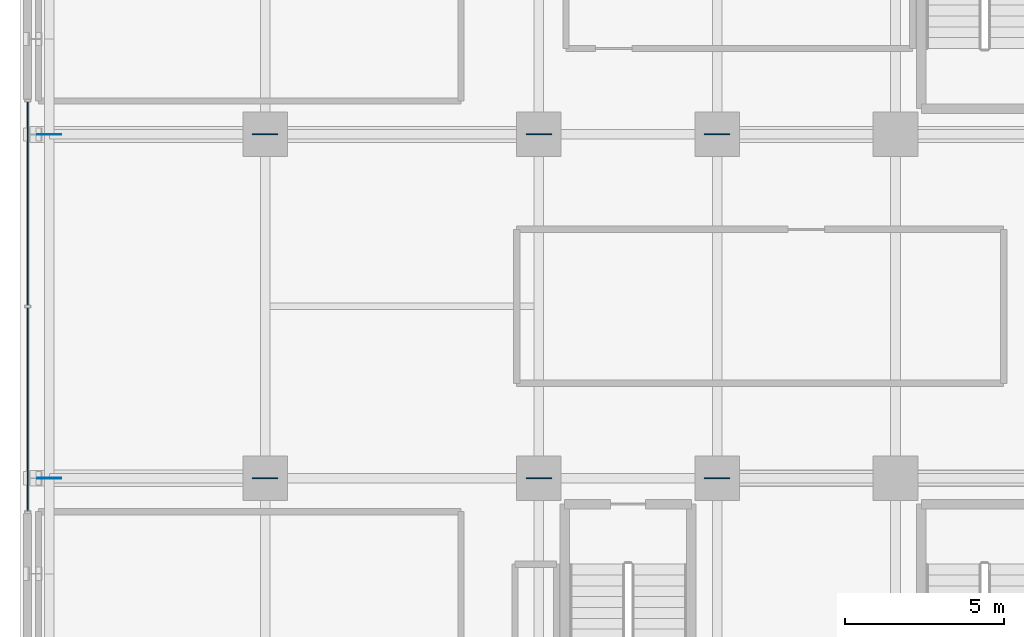
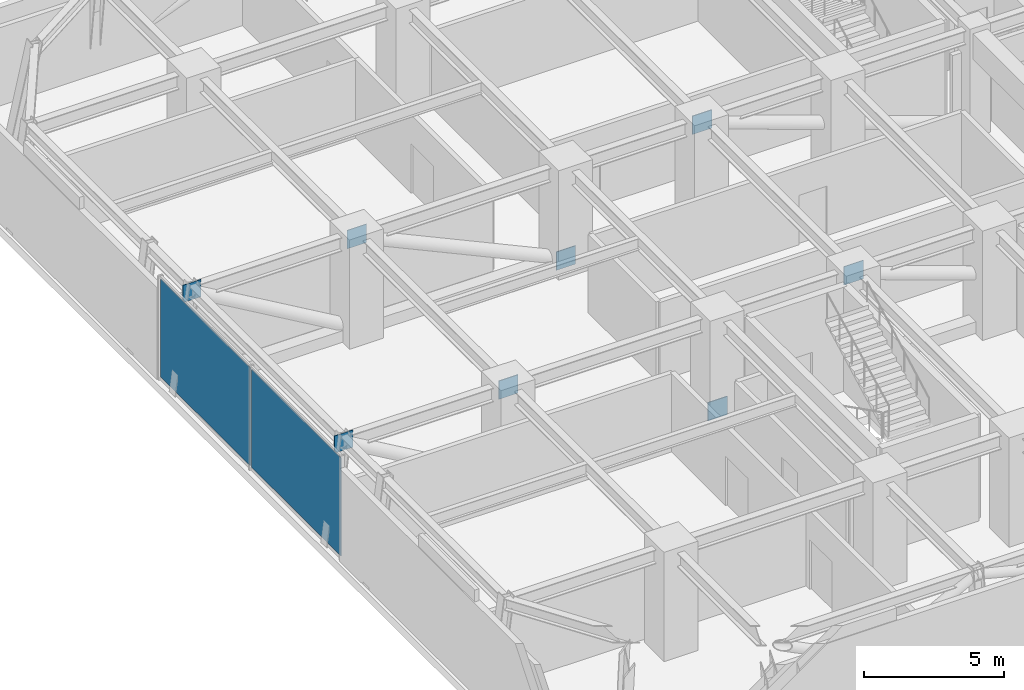
# One storey, part 7 of 17: 10 plates, 1 element without a shape of its own.
"""IFC4 building model written with IfcOpenShell, lengths in metres."""

from ifc_helpers import new_model, si_unit, direction, frame, origin, origin_2d, place, context, subcontext, project, spatial, rectangle, extrude, source, transform, mapped, material, layer, layer_set, type_object, element, aggregate, save


model = new_model("IFC4")

# Units and contexts
model_context = context("Model", 3, precision=1e-05, world=origin(), true_north=direction((0.0, 1.0)))
body_context = subcontext(model_context, "Body", "Model", "MODEL_VIEW")
ifc_project = project(units=[si_unit("LENGTHUNIT", "METRE"), si_unit("AREAUNIT", "SQUARE_METRE"), si_unit("VOLUMEUNIT", "CUBIC_METRE"), si_unit("PLANEANGLEUNIT", "RADIAN"), si_unit("MASSUNIT", "GRAM", prefix="KILO")], contexts=[model_context])

# Site, building, storey
site_placement = place(None, origin())
site = spatial("IfcSite", under=ifc_project, at=site_placement, CompositionType="ELEMENT")
building_placement = place(site_placement, origin())
building = spatial("IfcBuilding", under=site, at=building_placement, Name="Nahalor Promenade Grand Hotel", CompositionType="ELEMENT")
storey_placement = place(building_placement, frame((0.0, 0.0, 83.5)))
storey = spatial("IfcBuildingStorey", under=building, at=storey_placement, Name="L20", CompositionType="ELEMENT", Elevation=83.5)

# Plates
ifc_material_1 = material(Name="Steel S355J2", Category="steel")
ifc_layer_1 = layer(ifc_material_1, 0.031982421875)
ifc_layer_set_1 = layer_set([ifc_layer_1], Name="Steel S355J2")
plate_type_1 = type_object("IfcPlateType", Name="Plate-Gusset-32", PredefinedType="USERDEFINED", material=ifc_layer_set_1)
shared_shape_1 = source(origin(), body_context, "Body", "SweptSolid", [
    extrude(rectangle(XDim=0.800048828125, YDim=0.031982421875, at=origin_2d()), origin(), (0.0, 0.0, 1.0), 0.800048828125),
])
for number, where, z_axis, x_axis, name in (
    (1, (-2.800048828125, -5.39990234375, 3.85009765625), (0.0, 0.0, 1.0), (1.0, 0.0, 0.0), "PL-L20-OU-1-2"),
    (2, (-8.39990234375, -5.39990234375, -0.10009765625), (0.0, 0.0, 1.0), (1.0, 0.0, 0.0), "PL-L20-OU-1-3"),
    (3, (-17.0, -5.39990234375, 3.85009765625), (0.0, 0.0, 1.0), (1.0, 0.0, 0.0), "PL-L20-OU-1-4"),
    (4, (-2.800048828125, 5.39990234375, 3.85009765625), (0.0, 0.0, 1.0), (1.0, 0.0, 0.0), "PL-L20-OU-2-2"),
    (5, (-8.39990234375, 5.39990234375, -0.10009765625), (0.0, 0.0, 1.0), (1.0, 0.0, 0.0), "PL-L20-OU-2-3"),
    (6, (-17.0, 5.39990234375, 3.85009765625), (0.0, 0.0, 1.0), (1.0, 0.0, 0.0), "PL-L20-OU-2-4"),
):
    element("IfcPlate", number, at=place(storey_placement, frame(where, z_axis=z_axis, x_axis=x_axis)), inside=storey, type_object=plate_type_1, Name=name, ObjectType="GUSSET_PLATE", PredefinedType="USERDEFINED", context=body_context, shape_type="MappedRepresentation", body=[
        mapped(shared_shape_1, transform((0.0, 0.0, 0.0), scale=1.0)),
    ])
ifc_material_2 = material(Name="Steel S355JR", Category="steel")
ifc_layer_2 = layer(ifc_material_2, 0.028076171875)
ifc_layer_set_2 = layer_set([ifc_layer_2], Name="Steel S355JR")
plate_type_2 = type_object("IfcPlateType", Name="Plate-Gusset-28", PredefinedType="USERDEFINED", material=ifc_layer_set_2)
shared_shape_2 = source(origin(), body_context, "Body", "SweptSolid", [
    extrude(rectangle(XDim=0.75, YDim=0.028076171875, at=origin_2d()), origin(), (0.0, 0.0, 1.0), 0.75),
])
for number, where, z_axis, x_axis, name in (
    (7, (-23.780029296875, -5.39990234375, 3.875), (0.0, 0.0, 1.0), (1.0, 0.0, 0.0), "PL-L20-OU-1-5"),
    (8, (-23.780029296875, 5.39990234375, 3.875), (0.0, 0.0, 1.0), (1.0, 0.0, 0.0), "PL-L20-OU-2-5"),
):
    element("IfcPlate", number, at=place(storey_placement, frame(where, z_axis=z_axis, x_axis=x_axis)), inside=storey, type_object=plate_type_2, Name=name, ObjectType="GUSSET_PLATE", PredefinedType="USERDEFINED", context=body_context, shape_type="MappedRepresentation", body=[
        mapped(shared_shape_2, transform((0.0, 0.0, 0.0), scale=1.0)),
    ])

# Curtain wall, plates
ifc_material_3 = material(Name="Anodised Bronze Aluminium EN AW-6063 T6", Category="aluminium")
curtain_wall_type = type_object("IfcCurtainWallType", Name="CW6 Crown Botanical Conservatory Curtain Wall", PredefinedType="USERDEFINED", material=ifc_material_3)
curtain_wall_placement = place(storey_placement, origin())
curtain_wall = element("IfcCurtainWall", 9, at=curtain_wall_placement, inside=storey, type_object=curtain_wall_type, Name="L20 Curtain Wall CW-L20-W", ObjectType="UNITISED_CURTAIN_WALL", PredefinedType="USERDEFINED")
ifc_material_4 = material(Name="Low-E Laminated Solar Glass", Category="glass")
ifc_layer_3 = layer(ifc_material_4, 0.033935546875)
ifc_layer_set_3 = layer_set([ifc_layer_3], Name="Low-E Laminated Solar Glass")
plate_type_3 = type_object("IfcPlateType", Name="CWP6 Conservatory Solar-Select IGU 34mm", PredefinedType="CURTAIN_PANEL", material=ifc_layer_set_3)
shared_shape_3 = source(origin(), body_context, "Body", "SweptSolid", [
    extrude(rectangle(XDim=6.387451171875, YDim=0.033935546875, at=origin_2d()), origin(), (0.0, 0.0, 1.0), 4.260009765625),
])
plate_1_placement = place(storey_placement, frame((-24.4599609375, -3.231201171875, 0.134765625), z_axis=(0.0, 0.0, 1.0), x_axis=(0.0, 1.0, 0.0)))
plate_1 = element("IfcPlate", 10, at=plate_1_placement, type_object=plate_type_3, Name="CW-L20-W Glazing Panel 0-0", PredefinedType="CURTAIN_PANEL", context=body_context, shape_type="MappedRepresentation", body=[
    mapped(shared_shape_3, transform((0.0, 0.0, 0.0), scale=1.0)),
])
plate_2_placement = place(storey_placement, frame((-24.4599609375, 3.231201171875, 0.134765625), z_axis=(0.0, 0.0, 1.0), x_axis=(0.0, 1.0, 0.0)))
plate_2 = element("IfcPlate", 11, at=plate_2_placement, type_object=plate_type_3, Name="CW-L20-W Glazing Panel 1-0", PredefinedType="CURTAIN_PANEL", context=body_context, shape_type="MappedRepresentation", body=[
    mapped(shared_shape_3, transform((0.0, 0.0, 0.0), scale=1.0)),
])
aggregate(curtain_wall, [plate_1, plate_2])

save(model, "model.ifc")
